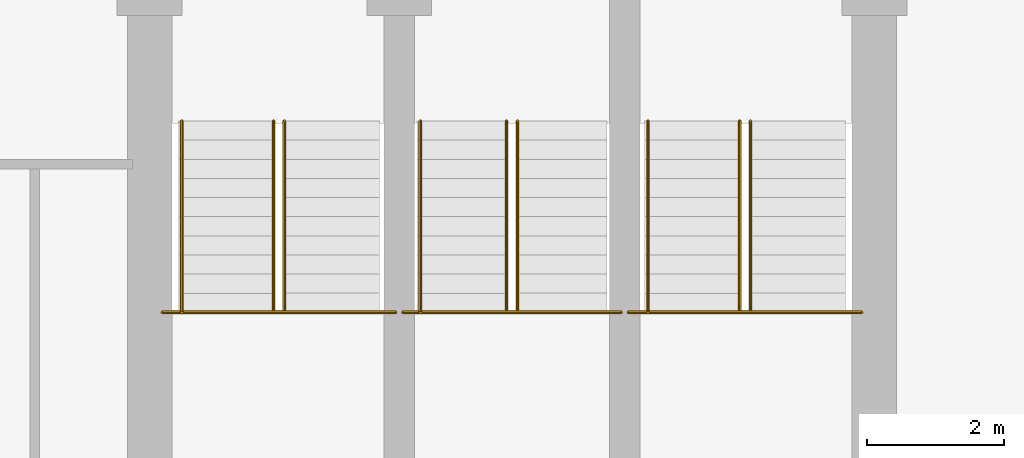
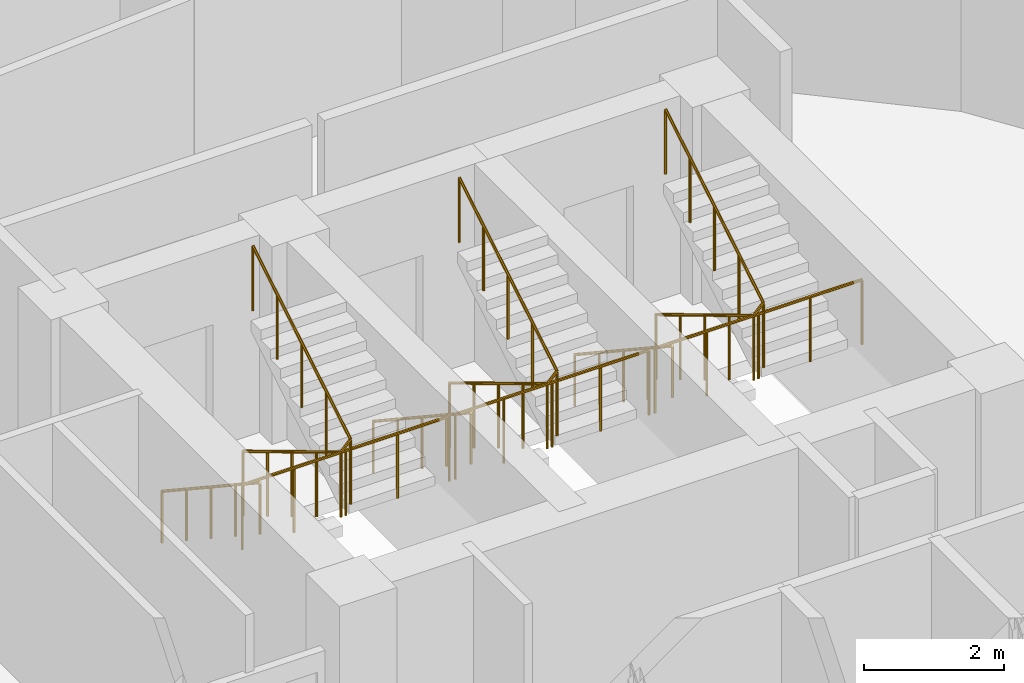
# One storey, part 26 of 26: 9 railings.
"""IFC4 building model written with IfcOpenShell, lengths in metres."""

from ifc_helpers import new_model, si_unit, direction, frame, origin, place, context, subcontext, project, spatial, polyline, outline, extrude, material, type_object, element, save


model = new_model("IFC4")

# Units and contexts
model_context = context("Model", 3, precision=1e-05, world=origin(), true_north=direction((0.0, 1.0)))
body_context = subcontext(model_context, "Body", "Model", "MODEL_VIEW")
ifc_project = project(units=[si_unit("LENGTHUNIT", "METRE"), si_unit("AREAUNIT", "SQUARE_METRE"), si_unit("VOLUMEUNIT", "CUBIC_METRE"), si_unit("PLANEANGLEUNIT", "RADIAN"), si_unit("MASSUNIT", "GRAM", prefix="KILO")], contexts=[model_context])

# Site, building, storey
site_placement = place(None, origin())
site = spatial("IfcSite", under=ifc_project, at=site_placement, CompositionType="ELEMENT")
building_placement = place(site_placement, origin())
building = spatial("IfcBuilding", under=site, at=building_placement, Name="Nuhasar Tower", CompositionType="ELEMENT")
storey_placement = place(building_placement, frame((0.0, 0.0, 147.85009765625)))
storey = spatial("IfcBuildingStorey", under=building, at=storey_placement, Name="L35", CompositionType="ELEMENT", Elevation=147.85009765625)

# Railings
ifc_material_1 = material(Name="Steel S355", Category="steel")
railing_type_1 = type_object("IfcRailingType", Name="RLG-STAIR-GUARD-1150", PredefinedType="GUARDRAIL", material=ifc_material_1)
railing_1_placement = place(storey_placement, frame((33.8798828125, 32.485107421875, 1.849853515625)))
element("IfcRailing", 1, at=railing_1_placement, inside=storey, type_object=railing_type_1, Name="L35 Stair ST-01 Guardrail LND", PredefinedType="GUARDRAIL", context=body_context, shape_type="SweptSolid", body=[
    extrude(outline(polyline([(0.024169921875, 0.0), (0.01708984375, 0.01708984375), (0.0, 0.024169921875), (-0.01708984375, 0.01708984375), (-0.024169921875, 0.0), (-0.01708984375, -0.01708984375), (0.0, -0.024169921875), (0.01708984375, -0.01708984375), (0.024169921875, 0.0)])), frame((0.0, 0.0, 1.1259765625), z_axis=(1.0, 0.0, 0.0), x_axis=(0.0, 1.0, 0.0)), (0.0, 0.0, 1.0), 3.420166015625),
    extrude(outline(polyline([(0.02099609375, 0.0), (0.014892578125, 0.014892578125), (0.0, 0.02099609375), (-0.014892578125, 0.014892578125), (-0.02099609375, 0.0), (-0.014892578125, -0.014892578125), (0.0, -0.02099609375), (0.014892578125, -0.014892578125), (0.02099609375, 0.0)])), origin(), (0.0, 0.0, 1.0), 1.101806640625),
    extrude(outline(polyline([(0.02099609375, 0.0), (0.014892578125, 0.014892578125), (0.0, 0.02099609375), (-0.014892578125, 0.014892578125), (-0.02099609375, 0.0), (-0.014892578125, -0.014892578125), (0.0, -0.02099609375), (0.014892578125, -0.014892578125), (0.02099609375, 0.0)])), frame((0.85498046875, 0.0, 0.0)), (0.0, 0.0, 1.0), 1.101806640625),
    extrude(outline(polyline([(0.02099609375, 0.0), (0.014892578125, 0.014892578125), (0.0, 0.02099609375), (-0.014892578125, 0.014892578125), (-0.02099609375, 0.0), (-0.014892578125, -0.014892578125), (0.0, -0.02099609375), (0.014892578125, -0.014892578125), (0.02099609375, 0.0)])), frame((1.7099609375, 0.0, 0.0)), (0.0, 0.0, 1.0), 1.101806640625),
    extrude(outline(polyline([(0.02099609375, 0.0), (0.014892578125, 0.014892578125), (0.0, 0.02099609375), (-0.014892578125, 0.014892578125), (-0.02099609375, 0.0), (-0.014892578125, -0.014892578125), (0.0, -0.02099609375), (0.014892578125, -0.014892578125), (0.02099609375, 0.0)])), frame((2.565185546875, 0.0, 0.0)), (0.0, 0.0, 1.0), 1.101806640625),
    extrude(outline(polyline([(0.02099609375, 0.0), (0.014892578125, 0.014892578125), (0.0, 0.02099609375), (-0.014892578125, 0.014892578125), (-0.02099609375, 0.0), (-0.014892578125, -0.014892578125), (0.0, -0.02099609375), (0.014892578125, -0.014892578125), (0.02099609375, 0.0)])), frame((3.420166015625, 0.0, 0.0)), (0.0, 0.0, 1.0), 1.101806640625),
])
railing_2_placement = place(storey_placement, frame((35.510009765625, 35.284912109375, 0.16796875)))
element("IfcRailing", 2, at=railing_2_placement, inside=storey, type_object=railing_type_1, Name="L35 Stair ST-01 Guardrail SLT", PredefinedType="GUARDRAIL", context=body_context, shape_type="SweptSolid", body=[
    extrude(outline(polyline([(0.024169921875, 0.0), (0.01708984375, 0.01708984375), (0.0, 0.024169921875), (-0.01708984375, 0.01708984375), (-0.024169921875, 0.0), (-0.01708984375, -0.01708984375), (0.0, -0.024169921875), (0.01708984375, -0.01708984375), (0.024169921875, 0.0)])), frame((0.0, 0.0, 1.1259765625), z_axis=(0.0, -0.857222391501, 0.514946377315), x_axis=(1.0, 0.0, 0.0)), (0.0, 0.0, 1.0), 3.26611328125),
    extrude(outline(polyline([(0.024169921875, 0.0), (0.01708984375, 0.01708984375), (0.0, 0.024169921875), (-0.01708984375, 0.01708984375), (-0.024169921875, 0.0), (-0.01708984375, -0.01708984375), (0.0, -0.024169921875), (0.01708984375, -0.01708984375), (0.024169921875, 0.0)])), frame((0.0, -2.7998046875, 2.8076171875), z_axis=(0.689523729023, 0.0, 0.72426309247), x_axis=(0.0, 1.0, 0.0)), (0.0, 0.0, 1.0), 0.23193359375),
    extrude(outline(polyline([(0.024169921875, 0.0), (0.01708984375, 0.01708984375), (0.0, 0.024169921875), (-0.01708984375, 0.01708984375), (-0.024169921875, 0.0), (-0.01708984375, -0.01708984375), (0.0, -0.024169921875), (0.01708984375, -0.01708984375), (0.024169921875, 0.0)])), frame((0.159912109375, -2.7998046875, 2.9755859375), z_axis=(0.0, 0.857189395008, 0.515001302023), x_axis=(-1.0, 0.0, 0.0)), (0.0, 0.0, 1.0), 3.266357421875),
    extrude(outline(polyline([(0.02099609375, 0.0), (0.014892578125, 0.014892578125), (0.0, 0.02099609375), (-0.014892578125, 0.014892578125), (-0.02099609375, 0.0), (-0.014892578125, -0.014892578125), (0.0, -0.02099609375), (0.014892578125, -0.014892578125), (0.02099609375, 0.0)])), origin(), (0.0, 0.0, 1.0), 1.101806640625),
    extrude(outline(polyline([(0.02099609375, 0.0), (0.014892578125, 0.014892578125), (0.0, 0.02099609375), (-0.014892578125, 0.014892578125), (-0.02099609375, 0.0), (-0.014892578125, -0.014892578125), (0.0, -0.02099609375), (0.014892578125, -0.014892578125), (0.02099609375, 0.0)])), frame((0.0, -0.699951171875, 0.42041015625)), (0.0, 0.0, 1.0), 1.101806640625),
    extrude(outline(polyline([(0.02099609375, 0.0), (0.014892578125, 0.014892578125), (0.0, 0.02099609375), (-0.014892578125, 0.014892578125), (-0.02099609375, 0.0), (-0.014892578125, -0.014892578125), (0.0, -0.02099609375), (0.014892578125, -0.014892578125), (0.02099609375, 0.0)])), frame((0.0, -1.39990234375, 0.8408203125)), (0.0, 0.0, 1.0), 1.101806640625),
    extrude(outline(polyline([(0.02099609375, 0.0), (0.014892578125, 0.014892578125), (0.0, 0.02099609375), (-0.014892578125, 0.014892578125), (-0.02099609375, 0.0), (-0.014892578125, -0.014892578125), (0.0, -0.02099609375), (0.014892578125, -0.014892578125), (0.02099609375, 0.0)])), frame((0.0, -2.099853515625, 1.261474609375)), (0.0, 0.0, 1.0), 1.101806640625),
    extrude(outline(polyline([(0.02099609375, 0.0), (0.014892578125, 0.014892578125), (0.0, 0.02099609375), (-0.014892578125, 0.014892578125), (-0.02099609375, 0.0), (-0.014892578125, -0.014892578125), (0.0, -0.02099609375), (0.014892578125, -0.014892578125), (0.02099609375, 0.0)])), frame((0.0, -2.7998046875, 1.681884765625)), (0.0, 0.0, 1.0), 1.101806640625),
    extrude(outline(polyline([(0.02099609375, 0.0), (0.014892578125, 0.014892578125), (0.0, 0.02099609375), (-0.014892578125, 0.014892578125), (-0.02099609375, 0.0), (-0.014892578125, -0.014892578125), (0.0, -0.02099609375), (0.014892578125, -0.014892578125), (0.02099609375, 0.0)])), frame((0.159912109375, -2.7998046875, 1.849853515625)), (0.0, 0.0, 1.0), 1.101806640625),
    extrude(outline(polyline([(0.02099609375, 0.0), (0.014892578125, 0.014892578125), (0.0, 0.02099609375), (-0.014892578125, 0.014892578125), (-0.02099609375, 0.0), (-0.014892578125, -0.014892578125), (0.0, -0.02099609375), (0.014892578125, -0.014892578125), (0.02099609375, 0.0)])), frame((0.159912109375, -2.099853515625, 2.2705078125)), (0.0, 0.0, 1.0), 1.101806640625),
    extrude(outline(polyline([(0.02099609375, 0.0), (0.014892578125, 0.014892578125), (0.0, 0.02099609375), (-0.014892578125, 0.014892578125), (-0.02099609375, 0.0), (-0.014892578125, -0.014892578125), (0.0, -0.02099609375), (0.014892578125, -0.014892578125), (0.02099609375, 0.0)])), frame((0.159912109375, -1.39990234375, 2.69091796875)), (0.0, 0.0, 1.0), 1.101806640625),
    extrude(outline(polyline([(0.02099609375, 0.0), (0.014892578125, 0.014892578125), (0.0, 0.02099609375), (-0.014892578125, 0.014892578125), (-0.02099609375, 0.0), (-0.014892578125, -0.014892578125), (0.0, -0.02099609375), (0.014892578125, -0.014892578125), (0.02099609375, 0.0)])), frame((0.159912109375, -0.699951171875, 3.111328125)), (0.0, 0.0, 1.0), 1.101806640625),
    extrude(outline(polyline([(0.02099609375, 0.0), (0.014892578125, 0.014892578125), (0.0, 0.02099609375), (-0.014892578125, 0.014892578125), (-0.02099609375, 0.0), (-0.014892578125, -0.014892578125), (0.0, -0.02099609375), (0.014892578125, -0.014892578125), (0.02099609375, 0.0)])), frame((0.159912109375, 0.0, 3.531982421875)), (0.0, 0.0, 1.0), 1.101806640625),
])
railing_3_placement = place(storey_placement, frame((37.39990234375, 32.485107421875, 1.849853515625)))
element("IfcRailing", 3, at=railing_3_placement, inside=storey, type_object=railing_type_1, Name="L35 Stair ST-03 Guardrail LND", PredefinedType="GUARDRAIL", context=body_context, shape_type="SweptSolid", body=[
    extrude(outline(polyline([(0.024169921875, 0.0), (0.01708984375, 0.01708984375), (0.0, 0.024169921875), (-0.01708984375, 0.01708984375), (-0.024169921875, 0.0), (-0.01708984375, -0.01708984375), (0.0, -0.024169921875), (0.01708984375, -0.01708984375), (0.024169921875, 0.0)])), frame((0.0, 0.0, 1.1259765625), z_axis=(1.0, 0.0, 0.0), x_axis=(0.0, 1.0, 0.0)), (0.0, 0.0, 1.0), 3.2001953125),
    extrude(outline(polyline([(0.02099609375, 0.0), (0.014892578125, 0.014892578125), (0.0, 0.02099609375), (-0.014892578125, 0.014892578125), (-0.02099609375, 0.0), (-0.014892578125, -0.014892578125), (0.0, -0.02099609375), (0.014892578125, -0.014892578125), (0.02099609375, 0.0)])), origin(), (0.0, 0.0, 1.0), 1.101806640625),
    extrude(outline(polyline([(0.02099609375, 0.0), (0.014892578125, 0.014892578125), (0.0, 0.02099609375), (-0.014892578125, 0.014892578125), (-0.02099609375, 0.0), (-0.014892578125, -0.014892578125), (0.0, -0.02099609375), (0.014892578125, -0.014892578125), (0.02099609375, 0.0)])), frame((0.800048828125, 0.0, 0.0)), (0.0, 0.0, 1.0), 1.101806640625),
    extrude(outline(polyline([(0.02099609375, 0.0), (0.014892578125, 0.014892578125), (0.0, 0.02099609375), (-0.014892578125, 0.014892578125), (-0.02099609375, 0.0), (-0.014892578125, -0.014892578125), (0.0, -0.02099609375), (0.014892578125, -0.014892578125), (0.02099609375, 0.0)])), frame((1.60009765625, 0.0, 0.0)), (0.0, 0.0, 1.0), 1.101806640625),
    extrude(outline(polyline([(0.02099609375, 0.0), (0.014892578125, 0.014892578125), (0.0, 0.02099609375), (-0.014892578125, 0.014892578125), (-0.02099609375, 0.0), (-0.014892578125, -0.014892578125), (0.0, -0.02099609375), (0.014892578125, -0.014892578125), (0.02099609375, 0.0)])), frame((2.400146484375, 0.0, 0.0)), (0.0, 0.0, 1.0), 1.101806640625),
    extrude(outline(polyline([(0.02099609375, 0.0), (0.014892578125, 0.014892578125), (0.0, 0.02099609375), (-0.014892578125, 0.014892578125), (-0.02099609375, 0.0), (-0.014892578125, -0.014892578125), (0.0, -0.02099609375), (0.014892578125, -0.014892578125), (0.02099609375, 0.0)])), frame((3.2001953125, 0.0, 0.0)), (0.0, 0.0, 1.0), 1.101806640625),
])
railing_4_placement = place(storey_placement, frame((38.919921875, 35.284912109375, 0.16796875)))
element("IfcRailing", 4, at=railing_4_placement, inside=storey, type_object=railing_type_1, Name="L35 Stair ST-03 Guardrail SLT", PredefinedType="GUARDRAIL", context=body_context, shape_type="SweptSolid", body=[
    extrude(outline(polyline([(0.024169921875, 0.0), (0.01708984375, 0.01708984375), (0.0, 0.024169921875), (-0.01708984375, 0.01708984375), (-0.024169921875, 0.0), (-0.01708984375, -0.01708984375), (0.0, -0.024169921875), (0.01708984375, -0.01708984375), (0.024169921875, 0.0)])), frame((0.0, 0.0, 1.1259765625), z_axis=(0.0, -0.857222391501, 0.514946377315), x_axis=(1.0, 0.0, 0.0)), (0.0, 0.0, 1.0), 3.26611328125),
    extrude(outline(polyline([(0.024169921875, 0.0), (0.01708984375, 0.01708984375), (0.0, 0.024169921875), (-0.01708984375, 0.01708984375), (-0.024169921875, 0.0), (-0.01708984375, -0.01708984375), (0.0, -0.024169921875), (0.01708984375, -0.01708984375), (0.024169921875, 0.0)])), frame((0.0, -2.7998046875, 2.8076171875), z_axis=(0.690075333573, 0.0, 0.723737544967), x_axis=(0.0, 1.0, 0.0)), (0.0, 0.0, 1.0), 0.232177734375),
    extrude(outline(polyline([(0.024169921875, 0.0), (0.01708984375, 0.01708984375), (0.0, 0.024169921875), (-0.01708984375, 0.01708984375), (-0.024169921875, 0.0), (-0.01708984375, -0.01708984375), (0.0, -0.024169921875), (0.01708984375, -0.01708984375), (0.024169921875, 0.0)])), frame((0.16015625, -2.7998046875, 2.9755859375), z_axis=(0.0, 0.857189395008, 0.515001302023), x_axis=(-1.0, 0.0, 0.0)), (0.0, 0.0, 1.0), 3.266357421875),
    extrude(outline(polyline([(0.02099609375, 0.0), (0.014892578125, 0.014892578125), (0.0, 0.02099609375), (-0.014892578125, 0.014892578125), (-0.02099609375, 0.0), (-0.014892578125, -0.014892578125), (0.0, -0.02099609375), (0.014892578125, -0.014892578125), (0.02099609375, 0.0)])), origin(), (0.0, 0.0, 1.0), 1.101806640625),
    extrude(outline(polyline([(0.02099609375, 0.0), (0.014892578125, 0.014892578125), (0.0, 0.02099609375), (-0.014892578125, 0.014892578125), (-0.02099609375, 0.0), (-0.014892578125, -0.014892578125), (0.0, -0.02099609375), (0.014892578125, -0.014892578125), (0.02099609375, 0.0)])), frame((0.0, -0.699951171875, 0.42041015625)), (0.0, 0.0, 1.0), 1.101806640625),
    extrude(outline(polyline([(0.02099609375, 0.0), (0.014892578125, 0.014892578125), (0.0, 0.02099609375), (-0.014892578125, 0.014892578125), (-0.02099609375, 0.0), (-0.014892578125, -0.014892578125), (0.0, -0.02099609375), (0.014892578125, -0.014892578125), (0.02099609375, 0.0)])), frame((0.0, -1.39990234375, 0.8408203125)), (0.0, 0.0, 1.0), 1.101806640625),
    extrude(outline(polyline([(0.02099609375, 0.0), (0.014892578125, 0.014892578125), (0.0, 0.02099609375), (-0.014892578125, 0.014892578125), (-0.02099609375, 0.0), (-0.014892578125, -0.014892578125), (0.0, -0.02099609375), (0.014892578125, -0.014892578125), (0.02099609375, 0.0)])), frame((0.0, -2.099853515625, 1.261474609375)), (0.0, 0.0, 1.0), 1.101806640625),
    extrude(outline(polyline([(0.02099609375, 0.0), (0.014892578125, 0.014892578125), (0.0, 0.02099609375), (-0.014892578125, 0.014892578125), (-0.02099609375, 0.0), (-0.014892578125, -0.014892578125), (0.0, -0.02099609375), (0.014892578125, -0.014892578125), (0.02099609375, 0.0)])), frame((0.0, -2.7998046875, 1.681884765625)), (0.0, 0.0, 1.0), 1.101806640625),
    extrude(outline(polyline([(0.02099609375, 0.0), (0.014892578125, 0.014892578125), (0.0, 0.02099609375), (-0.014892578125, 0.014892578125), (-0.02099609375, 0.0), (-0.014892578125, -0.014892578125), (0.0, -0.02099609375), (0.014892578125, -0.014892578125), (0.02099609375, 0.0)])), frame((0.16015625, -2.7998046875, 1.849853515625)), (0.0, 0.0, 1.0), 1.101806640625),
    extrude(outline(polyline([(0.02099609375, 0.0), (0.014892578125, 0.014892578125), (0.0, 0.02099609375), (-0.014892578125, 0.014892578125), (-0.02099609375, 0.0), (-0.014892578125, -0.014892578125), (0.0, -0.02099609375), (0.014892578125, -0.014892578125), (0.02099609375, 0.0)])), frame((0.16015625, -2.099853515625, 2.2705078125)), (0.0, 0.0, 1.0), 1.101806640625),
    extrude(outline(polyline([(0.02099609375, 0.0), (0.014892578125, 0.014892578125), (0.0, 0.02099609375), (-0.014892578125, 0.014892578125), (-0.02099609375, 0.0), (-0.014892578125, -0.014892578125), (0.0, -0.02099609375), (0.014892578125, -0.014892578125), (0.02099609375, 0.0)])), frame((0.16015625, -1.39990234375, 2.69091796875)), (0.0, 0.0, 1.0), 1.101806640625),
    extrude(outline(polyline([(0.02099609375, 0.0), (0.014892578125, 0.014892578125), (0.0, 0.02099609375), (-0.014892578125, 0.014892578125), (-0.02099609375, 0.0), (-0.014892578125, -0.014892578125), (0.0, -0.02099609375), (0.014892578125, -0.014892578125), (0.02099609375, 0.0)])), frame((0.16015625, -0.699951171875, 3.111328125)), (0.0, 0.0, 1.0), 1.101806640625),
    extrude(outline(polyline([(0.02099609375, 0.0), (0.014892578125, 0.014892578125), (0.0, 0.02099609375), (-0.014892578125, 0.014892578125), (-0.02099609375, 0.0), (-0.014892578125, -0.014892578125), (0.0, -0.02099609375), (0.014892578125, -0.014892578125), (0.02099609375, 0.0)])), frame((0.16015625, 0.0, 3.531982421875)), (0.0, 0.0, 1.0), 1.101806640625),
])
railing_5_placement = place(storey_placement, frame((40.699951171875, 32.485107421875, 1.849853515625)))
element("IfcRailing", 5, at=railing_5_placement, inside=storey, type_object=railing_type_1, Name="L35 Stair ST-02 Guardrail LND", PredefinedType="GUARDRAIL", context=body_context, shape_type="SweptSolid", body=[
    extrude(outline(polyline([(0.024169921875, 0.0), (0.01708984375, 0.01708984375), (0.0, 0.024169921875), (-0.01708984375, 0.01708984375), (-0.024169921875, 0.0), (-0.01708984375, -0.01708984375), (0.0, -0.024169921875), (0.01708984375, -0.01708984375), (0.024169921875, 0.0)])), frame((0.0, 0.0, 1.1259765625), z_axis=(1.0, 0.0, 0.0), x_axis=(0.0, 1.0, 0.0)), (0.0, 0.0, 1.0), 3.420166015625),
    extrude(outline(polyline([(0.02099609375, 0.0), (0.014892578125, 0.014892578125), (0.0, 0.02099609375), (-0.014892578125, 0.014892578125), (-0.02099609375, 0.0), (-0.014892578125, -0.014892578125), (0.0, -0.02099609375), (0.014892578125, -0.014892578125), (0.02099609375, 0.0)])), origin(), (0.0, 0.0, 1.0), 1.101806640625),
    extrude(outline(polyline([(0.02099609375, 0.0), (0.014892578125, 0.014892578125), (0.0, 0.02099609375), (-0.014892578125, 0.014892578125), (-0.02099609375, 0.0), (-0.014892578125, -0.014892578125), (0.0, -0.02099609375), (0.014892578125, -0.014892578125), (0.02099609375, 0.0)])), frame((0.85498046875, 0.0, 0.0)), (0.0, 0.0, 1.0), 1.101806640625),
    extrude(outline(polyline([(0.02099609375, 0.0), (0.014892578125, 0.014892578125), (0.0, 0.02099609375), (-0.014892578125, 0.014892578125), (-0.02099609375, 0.0), (-0.014892578125, -0.014892578125), (0.0, -0.02099609375), (0.014892578125, -0.014892578125), (0.02099609375, 0.0)])), frame((1.7099609375, 0.0, 0.0)), (0.0, 0.0, 1.0), 1.101806640625),
    extrude(outline(polyline([(0.02099609375, 0.0), (0.014892578125, 0.014892578125), (0.0, 0.02099609375), (-0.014892578125, 0.014892578125), (-0.02099609375, 0.0), (-0.014892578125, -0.014892578125), (0.0, -0.02099609375), (0.014892578125, -0.014892578125), (0.02099609375, 0.0)])), frame((2.565185546875, 0.0, 0.0)), (0.0, 0.0, 1.0), 1.101806640625),
    extrude(outline(polyline([(0.02099609375, 0.0), (0.014892578125, 0.014892578125), (0.0, 0.02099609375), (-0.014892578125, 0.014892578125), (-0.02099609375, 0.0), (-0.014892578125, -0.014892578125), (0.0, -0.02099609375), (0.014892578125, -0.014892578125), (0.02099609375, 0.0)])), frame((3.420166015625, 0.0, 0.0)), (0.0, 0.0, 1.0), 1.101806640625),
])
railing_6_placement = place(storey_placement, frame((42.330078125, 35.284912109375, 0.16796875)))
element("IfcRailing", 6, at=railing_6_placement, inside=storey, type_object=railing_type_1, Name="L35 Stair ST-02 Guardrail SLT", PredefinedType="GUARDRAIL", context=body_context, shape_type="SweptSolid", body=[
    extrude(outline(polyline([(0.024169921875, 0.0), (0.01708984375, 0.01708984375), (0.0, 0.024169921875), (-0.01708984375, 0.01708984375), (-0.024169921875, 0.0), (-0.01708984375, -0.01708984375), (0.0, -0.024169921875), (0.01708984375, -0.01708984375), (0.024169921875, 0.0)])), frame((0.0, 0.0, 1.1259765625), z_axis=(0.0, -0.857222391501, 0.514946377315), x_axis=(1.0, 0.0, 0.0)), (0.0, 0.0, 1.0), 3.26611328125),
    extrude(outline(polyline([(0.024169921875, 0.0), (0.01708984375, 0.01708984375), (0.0, 0.024169921875), (-0.01708984375, 0.01708984375), (-0.024169921875, 0.0), (-0.01708984375, -0.01708984375), (0.0, -0.024169921875), (0.01708984375, -0.01708984375), (0.024169921875, 0.0)])), frame((0.0, -2.7998046875, 2.8076171875), z_axis=(0.689523729023, 0.0, 0.72426309247), x_axis=(0.0, 1.0, 0.0)), (0.0, 0.0, 1.0), 0.23193359375),
    extrude(outline(polyline([(0.024169921875, 0.0), (0.01708984375, 0.01708984375), (0.0, 0.024169921875), (-0.01708984375, 0.01708984375), (-0.024169921875, 0.0), (-0.01708984375, -0.01708984375), (0.0, -0.024169921875), (0.01708984375, -0.01708984375), (0.024169921875, 0.0)])), frame((0.159912109375, -2.7998046875, 2.9755859375), z_axis=(0.0, 0.857189395008, 0.515001302023), x_axis=(-1.0, 0.0, 0.0)), (0.0, 0.0, 1.0), 3.266357421875),
    extrude(outline(polyline([(0.02099609375, 0.0), (0.014892578125, 0.014892578125), (0.0, 0.02099609375), (-0.014892578125, 0.014892578125), (-0.02099609375, 0.0), (-0.014892578125, -0.014892578125), (0.0, -0.02099609375), (0.014892578125, -0.014892578125), (0.02099609375, 0.0)])), origin(), (0.0, 0.0, 1.0), 1.101806640625),
    extrude(outline(polyline([(0.02099609375, 0.0), (0.014892578125, 0.014892578125), (0.0, 0.02099609375), (-0.014892578125, 0.014892578125), (-0.02099609375, 0.0), (-0.014892578125, -0.014892578125), (0.0, -0.02099609375), (0.014892578125, -0.014892578125), (0.02099609375, 0.0)])), frame((0.0, -0.699951171875, 0.42041015625)), (0.0, 0.0, 1.0), 1.101806640625),
    extrude(outline(polyline([(0.02099609375, 0.0), (0.014892578125, 0.014892578125), (0.0, 0.02099609375), (-0.014892578125, 0.014892578125), (-0.02099609375, 0.0), (-0.014892578125, -0.014892578125), (0.0, -0.02099609375), (0.014892578125, -0.014892578125), (0.02099609375, 0.0)])), frame((0.0, -1.39990234375, 0.8408203125)), (0.0, 0.0, 1.0), 1.101806640625),
    extrude(outline(polyline([(0.02099609375, 0.0), (0.014892578125, 0.014892578125), (0.0, 0.02099609375), (-0.014892578125, 0.014892578125), (-0.02099609375, 0.0), (-0.014892578125, -0.014892578125), (0.0, -0.02099609375), (0.014892578125, -0.014892578125), (0.02099609375, 0.0)])), frame((0.0, -2.099853515625, 1.261474609375)), (0.0, 0.0, 1.0), 1.101806640625),
    extrude(outline(polyline([(0.02099609375, 0.0), (0.014892578125, 0.014892578125), (0.0, 0.02099609375), (-0.014892578125, 0.014892578125), (-0.02099609375, 0.0), (-0.014892578125, -0.014892578125), (0.0, -0.02099609375), (0.014892578125, -0.014892578125), (0.02099609375, 0.0)])), frame((0.0, -2.7998046875, 1.681884765625)), (0.0, 0.0, 1.0), 1.101806640625),
    extrude(outline(polyline([(0.02099609375, 0.0), (0.014892578125, 0.014892578125), (0.0, 0.02099609375), (-0.014892578125, 0.014892578125), (-0.02099609375, 0.0), (-0.014892578125, -0.014892578125), (0.0, -0.02099609375), (0.014892578125, -0.014892578125), (0.02099609375, 0.0)])), frame((0.159912109375, -2.7998046875, 1.849853515625)), (0.0, 0.0, 1.0), 1.101806640625),
    extrude(outline(polyline([(0.02099609375, 0.0), (0.014892578125, 0.014892578125), (0.0, 0.02099609375), (-0.014892578125, 0.014892578125), (-0.02099609375, 0.0), (-0.014892578125, -0.014892578125), (0.0, -0.02099609375), (0.014892578125, -0.014892578125), (0.02099609375, 0.0)])), frame((0.159912109375, -2.099853515625, 2.2705078125)), (0.0, 0.0, 1.0), 1.101806640625),
    extrude(outline(polyline([(0.02099609375, 0.0), (0.014892578125, 0.014892578125), (0.0, 0.02099609375), (-0.014892578125, 0.014892578125), (-0.02099609375, 0.0), (-0.014892578125, -0.014892578125), (0.0, -0.02099609375), (0.014892578125, -0.014892578125), (0.02099609375, 0.0)])), frame((0.159912109375, -1.39990234375, 2.69091796875)), (0.0, 0.0, 1.0), 1.101806640625),
    extrude(outline(polyline([(0.02099609375, 0.0), (0.014892578125, 0.014892578125), (0.0, 0.02099609375), (-0.014892578125, 0.014892578125), (-0.02099609375, 0.0), (-0.014892578125, -0.014892578125), (0.0, -0.02099609375), (0.014892578125, -0.014892578125), (0.02099609375, 0.0)])), frame((0.159912109375, -0.699951171875, 3.111328125)), (0.0, 0.0, 1.0), 1.101806640625),
    extrude(outline(polyline([(0.02099609375, 0.0), (0.014892578125, 0.014892578125), (0.0, 0.02099609375), (-0.014892578125, 0.014892578125), (-0.02099609375, 0.0), (-0.014892578125, -0.014892578125), (0.0, -0.02099609375), (0.014892578125, -0.014892578125), (0.02099609375, 0.0)])), frame((0.159912109375, 0.0, 3.531982421875)), (0.0, 0.0, 1.0), 1.101806640625),
])
ifc_material_2 = material(Name="Stainless Steel 316L", Category="steel")
railing_type_2 = type_object("IfcRailingType", Name="RLG-STAIR-HAND-920", PredefinedType="HANDRAIL", material=ifc_material_2)
railing_7_placement = place(storey_placement, frame((34.169921875, 35.284912109375, 0.16796875)))
element("IfcRailing", 7, at=railing_7_placement, inside=storey, type_object=railing_type_2, Name="L35 Stair ST-01 Handrail HND1", PredefinedType="HANDRAIL", context=body_context, shape_type="SweptSolid", body=[
    extrude(outline(polyline([(0.024169921875, 0.0), (0.01708984375, 0.01708984375), (0.0, 0.024169921875), (-0.01708984375, 0.01708984375), (-0.024169921875, 0.0), (-0.01708984375, -0.01708984375), (0.0, -0.024169921875), (0.01708984375, -0.01708984375), (0.024169921875, 0.0)])), frame((0.0, 0.0, 0.89599609375), z_axis=(0.0, -0.834337710781, 0.551253647941), x_axis=(1.0, 0.0, 0.0)), (0.0, 0.0, 1.0), 3.355712890625),
    extrude(outline(polyline([(0.02099609375, 0.0), (0.014892578125, 0.014892578125), (0.0, 0.02099609375), (-0.014892578125, 0.014892578125), (-0.02099609375, 0.0), (-0.014892578125, -0.014892578125), (0.0, -0.02099609375), (0.014892578125, -0.014892578125), (0.02099609375, 0.0)])), origin(), (0.0, 0.0, 1.0), 0.871826171875),
    extrude(outline(polyline([(0.02099609375, 0.0), (0.014892578125, 0.014892578125), (0.0, 0.02099609375), (-0.014892578125, 0.014892578125), (-0.02099609375, 0.0), (-0.014892578125, -0.014892578125), (0.0, -0.02099609375), (0.014892578125, -0.014892578125), (0.02099609375, 0.0)])), frame((0.0, -0.699951171875, 0.46240234375)), (0.0, 0.0, 1.0), 0.871826171875),
    extrude(outline(polyline([(0.02099609375, 0.0), (0.014892578125, 0.014892578125), (0.0, 0.02099609375), (-0.014892578125, 0.014892578125), (-0.02099609375, 0.0), (-0.014892578125, -0.014892578125), (0.0, -0.02099609375), (0.014892578125, -0.014892578125), (0.02099609375, 0.0)])), frame((0.0, -1.39990234375, 0.9248046875)), (0.0, 0.0, 1.0), 0.871826171875),
    extrude(outline(polyline([(0.02099609375, 0.0), (0.014892578125, 0.014892578125), (0.0, 0.02099609375), (-0.014892578125, 0.014892578125), (-0.02099609375, 0.0), (-0.014892578125, -0.014892578125), (0.0, -0.02099609375), (0.014892578125, -0.014892578125), (0.02099609375, 0.0)])), frame((0.0, -2.099853515625, 1.387451171875)), (0.0, 0.0, 1.0), 0.871826171875),
    extrude(outline(polyline([(0.02099609375, 0.0), (0.014892578125, 0.014892578125), (0.0, 0.02099609375), (-0.014892578125, 0.014892578125), (-0.02099609375, 0.0), (-0.014892578125, -0.014892578125), (0.0, -0.02099609375), (0.014892578125, -0.014892578125), (0.02099609375, 0.0)])), frame((0.0, -2.7998046875, 1.849853515625)), (0.0, 0.0, 1.0), 0.871826171875),
])
railing_8_placement = place(storey_placement, frame((37.659912109375, 35.284912109375, 0.16796875)))
element("IfcRailing", 8, at=railing_8_placement, inside=storey, type_object=railing_type_2, Name="L35 Stair ST-03 Handrail HND1", PredefinedType="HANDRAIL", context=body_context, shape_type="SweptSolid", body=[
    extrude(outline(polyline([(0.024169921875, 0.0), (0.01708984375, 0.01708984375), (0.0, 0.024169921875), (-0.01708984375, 0.01708984375), (-0.024169921875, 0.0), (-0.01708984375, -0.01708984375), (0.0, -0.024169921875), (0.01708984375, -0.01708984375), (0.024169921875, 0.0)])), frame((0.0, 0.0, 0.89599609375), z_axis=(0.0, -0.834337710781, 0.551253647941), x_axis=(1.0, 0.0, 0.0)), (0.0, 0.0, 1.0), 3.355712890625),
    extrude(outline(polyline([(0.02099609375, 0.0), (0.014892578125, 0.014892578125), (0.0, 0.02099609375), (-0.014892578125, 0.014892578125), (-0.02099609375, 0.0), (-0.014892578125, -0.014892578125), (0.0, -0.02099609375), (0.014892578125, -0.014892578125), (0.02099609375, 0.0)])), origin(), (0.0, 0.0, 1.0), 0.871826171875),
    extrude(outline(polyline([(0.02099609375, 0.0), (0.014892578125, 0.014892578125), (0.0, 0.02099609375), (-0.014892578125, 0.014892578125), (-0.02099609375, 0.0), (-0.014892578125, -0.014892578125), (0.0, -0.02099609375), (0.014892578125, -0.014892578125), (0.02099609375, 0.0)])), frame((0.0, -0.699951171875, 0.46240234375)), (0.0, 0.0, 1.0), 0.871826171875),
    extrude(outline(polyline([(0.02099609375, 0.0), (0.014892578125, 0.014892578125), (0.0, 0.02099609375), (-0.014892578125, 0.014892578125), (-0.02099609375, 0.0), (-0.014892578125, -0.014892578125), (0.0, -0.02099609375), (0.014892578125, -0.014892578125), (0.02099609375, 0.0)])), frame((0.0, -1.39990234375, 0.9248046875)), (0.0, 0.0, 1.0), 0.871826171875),
    extrude(outline(polyline([(0.02099609375, 0.0), (0.014892578125, 0.014892578125), (0.0, 0.02099609375), (-0.014892578125, 0.014892578125), (-0.02099609375, 0.0), (-0.014892578125, -0.014892578125), (0.0, -0.02099609375), (0.014892578125, -0.014892578125), (0.02099609375, 0.0)])), frame((0.0, -2.099853515625, 1.387451171875)), (0.0, 0.0, 1.0), 0.871826171875),
    extrude(outline(polyline([(0.02099609375, 0.0), (0.014892578125, 0.014892578125), (0.0, 0.02099609375), (-0.014892578125, 0.014892578125), (-0.02099609375, 0.0), (-0.014892578125, -0.014892578125), (0.0, -0.02099609375), (0.014892578125, -0.014892578125), (0.02099609375, 0.0)])), frame((0.0, -2.7998046875, 1.849853515625)), (0.0, 0.0, 1.0), 0.871826171875),
])
railing_9_placement = place(storey_placement, frame((40.989990234375, 35.284912109375, 0.16796875)))
element("IfcRailing", 9, at=railing_9_placement, inside=storey, type_object=railing_type_2, Name="L35 Stair ST-02 Handrail HND1", PredefinedType="HANDRAIL", context=body_context, shape_type="SweptSolid", body=[
    extrude(outline(polyline([(0.024169921875, 0.0), (0.01708984375, 0.01708984375), (0.0, 0.024169921875), (-0.01708984375, 0.01708984375), (-0.024169921875, 0.0), (-0.01708984375, -0.01708984375), (0.0, -0.024169921875), (0.01708984375, -0.01708984375), (0.024169921875, 0.0)])), frame((0.0, 0.0, 0.89599609375), z_axis=(0.0, -0.834337710781, 0.551253647941), x_axis=(1.0, 0.0, 0.0)), (0.0, 0.0, 1.0), 3.355712890625),
    extrude(outline(polyline([(0.02099609375, 0.0), (0.014892578125, 0.014892578125), (0.0, 0.02099609375), (-0.014892578125, 0.014892578125), (-0.02099609375, 0.0), (-0.014892578125, -0.014892578125), (0.0, -0.02099609375), (0.014892578125, -0.014892578125), (0.02099609375, 0.0)])), origin(), (0.0, 0.0, 1.0), 0.871826171875),
    extrude(outline(polyline([(0.02099609375, 0.0), (0.014892578125, 0.014892578125), (0.0, 0.02099609375), (-0.014892578125, 0.014892578125), (-0.02099609375, 0.0), (-0.014892578125, -0.014892578125), (0.0, -0.02099609375), (0.014892578125, -0.014892578125), (0.02099609375, 0.0)])), frame((0.0, -0.699951171875, 0.46240234375)), (0.0, 0.0, 1.0), 0.871826171875),
    extrude(outline(polyline([(0.02099609375, 0.0), (0.014892578125, 0.014892578125), (0.0, 0.02099609375), (-0.014892578125, 0.014892578125), (-0.02099609375, 0.0), (-0.014892578125, -0.014892578125), (0.0, -0.02099609375), (0.014892578125, -0.014892578125), (0.02099609375, 0.0)])), frame((0.0, -1.39990234375, 0.9248046875)), (0.0, 0.0, 1.0), 0.871826171875),
    extrude(outline(polyline([(0.02099609375, 0.0), (0.014892578125, 0.014892578125), (0.0, 0.02099609375), (-0.014892578125, 0.014892578125), (-0.02099609375, 0.0), (-0.014892578125, -0.014892578125), (0.0, -0.02099609375), (0.014892578125, -0.014892578125), (0.02099609375, 0.0)])), frame((0.0, -2.099853515625, 1.387451171875)), (0.0, 0.0, 1.0), 0.871826171875),
    extrude(outline(polyline([(0.02099609375, 0.0), (0.014892578125, 0.014892578125), (0.0, 0.02099609375), (-0.014892578125, 0.014892578125), (-0.02099609375, 0.0), (-0.014892578125, -0.014892578125), (0.0, -0.02099609375), (0.014892578125, -0.014892578125), (0.02099609375, 0.0)])), frame((0.0, -2.7998046875, 1.849853515625)), (0.0, 0.0, 1.0), 0.871826171875),
])

save(model, "model.ifc")
